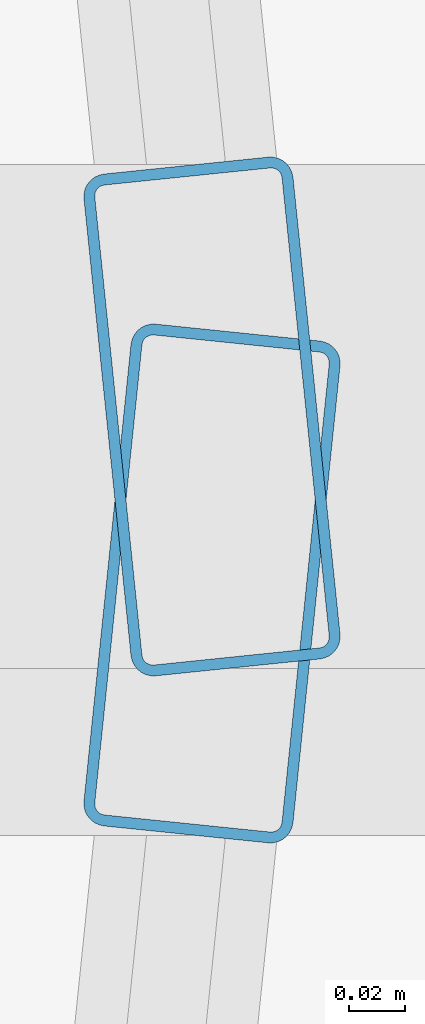
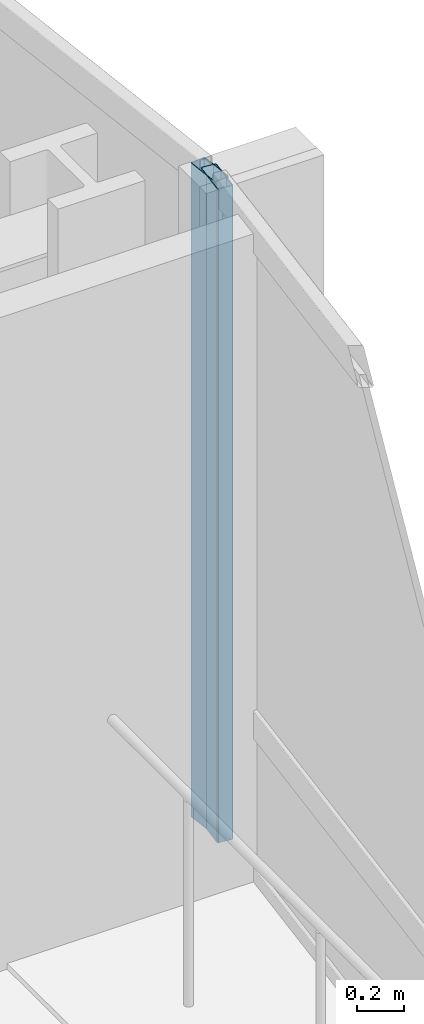
# One storey, part 25 of 34: 2 members, 2 elements without a shape of their own.
"""IFC4 building model written with IfcOpenShell, lengths in metres."""

import ifcopenshell
import ifcopenshell.guid

model = None  # the IFC model being written
_history = None  # IfcOwnerHistory: only IFC2X3 demands one
_inside = {}  # id of a spatial element -> (the spatial element, [elements in it])
_under = {}  # id of a project, library or spatial element -> (it, [spatial elements below it])
_declared = {}  # id of a project -> (the project, [libraries it declares])
_typed = {}  # id of a type object -> (the type object, [elements of that type])
_made_of = {}  # id of a material, layer set ... -> (it, [elements and type objects made of it])


def new_model(schema):
    """Start an empty IFC model of exactly this schema.

    Asked for "IFC4X3", IfcOpenShell would pick the latest addendum, in which some entities
    have other attributes; the version numbers below select the first issue.
    IFC2X3 requires an IfcOwnerHistory on every rooted entity: one is made here for all.
    """
    global model, _history
    if schema == "IFC4X3":
        model = ifcopenshell.file(schema_version=(4, 3, 0, 0))
    else:
        model = ifcopenshell.file(schema=schema)
    _inside.clear()
    _under.clear()
    _declared.clear()
    _typed.clear()
    _made_of.clear()
    _history = None
    if model.schema == "IFC2X3":
        org = make("IfcOrganization", Name="unknown")
        user = make(
            "IfcPersonAndOrganization",
            ThePerson=make("IfcPerson", FamilyName="unknown"),
            TheOrganization=org,
        )
        app = make(
            "IfcApplication",
            ApplicationDeveloper=org,
            Version="unknown",
            ApplicationFullName="unknown",
            ApplicationIdentifier="unknown",
        )
        _history = make(
            "IfcOwnerHistory",
            OwningUser=user,
            OwningApplication=app,
            ChangeAction="ADDED",
            CreationDate=0,
        )
    return model


def make(cls, **values):
    """One entity of the class cls with the attributes given. An attribute that is None is left unset."""
    return model.create_entity(
        cls, **{name: value for name, value in values.items() if value is not None}
    )


def rooted(cls, **values):
    """An entity with a GlobalId (a new one), such as an element, a storey or a relation."""
    return make(cls, GlobalId=ifcopenshell.guid.new(), OwnerHistory=_history, **values)


def si_unit(unit_type, name, prefix=None):
    """IfcSIUnit, for example si_unit("LENGTHUNIT", "METRE", prefix="MILLI")."""
    return make("IfcSIUnit", UnitType=unit_type, Prefix=prefix, Name=name)


def assignment(units):
    """IfcUnitAssignment: the units of a project."""
    return None if units is None else make("IfcUnitAssignment", Units=units)


def point(xyz):
    """IfcCartesianPoint."""
    return None if xyz is None else make("IfcCartesianPoint", Coordinates=xyz)


def direction(xyz):
    """IfcDirection."""
    return None if xyz is None else make("IfcDirection", DirectionRatios=xyz)


def frame(location, z_axis=None, x_axis=None):
    """IfcAxis2Placement3D, a coordinate frame: its origin and axes. An axis left out is left unset."""
    return make(
        "IfcAxis2Placement3D",
        Location=point(location),
        Axis=direction(z_axis),
        RefDirection=direction(x_axis),
    )


def frame_2d(location, x_axis=None):
    """IfcAxis2Placement2D, a coordinate frame in the plane: its origin and x axis."""
    return make(
        "IfcAxis2Placement2D", Location=point(location), RefDirection=direction(x_axis)
    )


def origin():
    """The frame at (0, 0, 0) with its axes left unset."""
    return frame((0.0, 0.0, 0.0))


def origin_2d():
    """The frame at (0, 0) in the plane with its x axis left unset."""
    return frame_2d((0.0, 0.0))


def place(relative_to, where):
    """IfcLocalPlacement: puts the frame where relative to a parent placement (None: the world)."""
    return make(
        "IfcLocalPlacement", PlacementRelTo=relative_to, RelativePlacement=where
    )


def context(
    kind, dimensions, precision=None, world=None, true_north=None, identifier=None
):
    """IfcGeometricRepresentationContext, for example the 3D "Model" context."""
    return make(
        "IfcGeometricRepresentationContext",
        ContextIdentifier=identifier,
        ContextType=kind,
        CoordinateSpaceDimension=dimensions,
        Precision=precision,
        WorldCoordinateSystem=world,
        TrueNorth=true_north,
    )


def subcontext(parent, identifier, kind, view, scale=None):
    """IfcGeometricRepresentationSubContext, for example "Body" below "Model"."""
    return make(
        "IfcGeometricRepresentationSubContext",
        ContextIdentifier=identifier,
        ContextType=kind,
        ParentContext=parent,
        TargetScale=scale,
        TargetView=view,
    )


def project(units=None, contexts=None):
    """IfcProject with its units and contexts."""
    return rooted(
        "IfcProject",
        Name="project",
        RepresentationContexts=contexts,
        UnitsInContext=assignment(units),
    )


def spatial(cls, under=None, at=None, **own):
    """A site, building, storey or space (cls), placed at a placement, below another one or the project."""
    s = rooted(cls, ObjectPlacement=at, **own)
    if under is not None:
        _under.setdefault(under.id(), (under, []))[1].append(s)
    return s


def profile(cls, at=None, kind="AREA", **sizes):
    """A parametric profile (cls). Its sizes go by their IFC names, for example OverallWidth=200.0."""
    return make(cls, ProfileType=kind, Position=at, **sizes)


def hollow_rectangle(**sizes):
    """IfcRectangleHollowProfileDef."""
    return profile("IfcRectangleHollowProfileDef", **sizes)


def extrude(swept, where, along, depth):
    """IfcExtrudedAreaSolid: the profile swept, set in the frame where, extruded along a direction by depth."""
    return make(
        "IfcExtrudedAreaSolid",
        SweptArea=swept,
        Position=where,
        ExtrudedDirection=direction(along),
        Depth=depth,
    )


def shape(context_of_items, identifier, shape_type, items):
    """IfcShapeRepresentation: the items that make up one representation, for example the "Body"."""
    return make(
        "IfcShapeRepresentation",
        ContextOfItems=context_of_items,
        RepresentationIdentifier=identifier,
        RepresentationType=shape_type,
        Items=items,
    )


def material(Name=None, Category=None):
    """IfcMaterial."""
    return make("IfcMaterial", Name=Name, Category=Category)


def layer(
    of_material, thickness, ventilated=None, Name=None, Category=None, Priority=None
):
    """IfcMaterialLayer: one layer of a wall or slab, of a material (None: an air gap)."""
    return make(
        "IfcMaterialLayer",
        Material=of_material,
        LayerThickness=thickness,
        IsVentilated=ventilated,
        Name=Name,
        Category=Category,
        Priority=Priority,
    )


def layer_set(layers, Name=None):
    """IfcMaterialLayerSet."""
    return make("IfcMaterialLayerSet", MaterialLayers=layers, LayerSetName=Name)


def material_profile(
    of_material, cross_section, Name=None, Category=None, Priority=None
):
    """IfcMaterialProfile: a cross section and its material."""
    return make(
        "IfcMaterialProfile",
        Name=Name,
        Material=of_material,
        Profile=cross_section,
        Priority=Priority,
        Category=Category,
    )


def profile_set(profiles, Name=None, composite=None):
    """IfcMaterialProfileSet."""
    return make(
        "IfcMaterialProfileSet",
        Name=Name,
        MaterialProfiles=profiles,
        CompositeProfile=composite,
    )


def made_of(thing, what):
    """Note that an element or type object is made of a material, layer set ...; save() writes the relation."""
    if what is not None:
        _made_of.setdefault(what.id(), (what, []))[1].append(thing)
    return thing


def type_object(cls, material=None, **own):
    """A type object (cls), such as IfcWallType, which elements share."""
    return made_of(rooted(cls, **own), material)


def element(
    cls,
    number,
    at=None,
    inside=None,
    cuts=None,
    type_object=None,
    material=None,
    context=None,
    identifier="Body",
    shape_type=None,
    held_by="IfcProductDefinitionShape",
    body=None,
    shapes=None,
    **own,
):
    """One element of the class cls, such as IfcWall. Its Tag is "e" and its number.

    at: its placement. inside: the storey or other place that contains it. cuts: it is an
    opening in that element (IfcRelVoidsElement). A single representation is given by context,
    identifier, shape_type and body (its items); several are given by shapes. held_by: the class
    of the entity that holds the representations. save() writes the other relations.
    """
    e = rooted(cls, Tag="e%d" % number, ObjectPlacement=at, **own)
    if body is not None:
        shapes = [shape(context, identifier, shape_type, body)]
    if shapes is not None:
        e.Representation = make(held_by, Representations=shapes)
    if inside is not None:
        _inside.setdefault(inside.id(), (inside, []))[1].append(e)
    if cuts is not None:
        rooted(
            "IfcRelVoidsElement", RelatingBuildingElement=cuts, RelatedOpeningElement=e
        )
    if type_object is not None:
        _typed.setdefault(type_object.id(), (type_object, []))[1].append(e)
    return made_of(e, material)


def aggregate(whole, parts):
    """IfcRelAggregates: a whole, such as a stair, and the parts it consists of."""
    return rooted("IfcRelAggregates", RelatingObject=whole, RelatedObjects=parts)


def save(model, path):
    """Write the relations noted so far, then the file.

    IfcRelAggregates (storeys below a building ...), IfcRelContainedInSpatialStructure (elements
    in a storey), IfcRelDefinesByType, IfcRelAssociatesMaterial and IfcRelDeclares: one each for
    every whole, place, type object, material and project.
    """
    for whole, parts in _under.values():
        aggregate(whole, parts)
    for where, things in _inside.values():
        rooted(
            "IfcRelContainedInSpatialStructure",
            RelatedElements=things,
            RelatingStructure=where,
        )
    for kind, things in _typed.values():
        rooted("IfcRelDefinesByType", RelatedObjects=things, RelatingType=kind)
    for what, things in _made_of.values():
        rooted("IfcRelAssociatesMaterial", RelatedObjects=things, RelatingMaterial=what)
    for by, libraries in _declared.values():
        rooted("IfcRelDeclares", RelatingContext=by, RelatedDefinitions=libraries)
    model.write(path)


model = new_model("IFC4")

# Units and contexts
model_context = context("Model", 3, precision=1e-05, world=origin(), true_north=direction((0.0, 1.0)))
body_context = subcontext(model_context, "Body", "Model", "MODEL_VIEW")
ifc_project = project(units=[si_unit("LENGTHUNIT", "METRE"), si_unit("AREAUNIT", "SQUARE_METRE"), si_unit("VOLUMEUNIT", "CUBIC_METRE"), si_unit("PLANEANGLEUNIT", "RADIAN"), si_unit("MASSUNIT", "GRAM", prefix="KILO")], contexts=[model_context])

# Site, building, storey
site_placement = place(None, origin())
site = spatial("IfcSite", under=ifc_project, at=site_placement, CompositionType="ELEMENT")
building_placement = place(site_placement, origin())
building = spatial("IfcBuilding", under=site, at=building_placement, Name="Solvaryn Broadcast Tower", CompositionType="ELEMENT")
storey_placement = place(building_placement, frame((0.0, 0.0, 50.800048828125)))
storey = spatial("IfcBuildingStorey", under=building, at=storey_placement, Name="L11", CompositionType="ELEMENT", Elevation=50.800048828125)

# Curtain wall, member
ifc_material_1 = material(Name="Aluminium and Terracotta Unitised Curtain Wall", Category="masonry")
ifc_layer = layer(ifc_material_1, 0.199951171875)
ifc_layer_set = layer_set([ifc_layer], Name="CW-SYS2-LOWMID")
curtain_wall_type = type_object("IfcCurtainWallType", Name="CW-SYS2-LOWMID", PredefinedType="NOTDEFINED", material=ifc_layer_set)
curtain_wall_1_placement = place(storey_placement, origin())
curtain_wall_1 = element("IfcCurtainWall", 1, at=curtain_wall_1_placement, inside=storey, type_object=curtain_wall_type, Name="L11 Curtain Wall ET1", PredefinedType="NOTDEFINED")
ifc_material_2 = material(Name="Anodised Aluminium 6063-T6", Category="aluminium")
ifc_material_profile = material_profile(ifc_material_2, hollow_rectangle(XDim=0.074951171875, YDim=0.179931640625, WallThickness=0.00390625, InnerFilletRadius=0.00390625, OuterFilletRadius=0.008056640625, at=origin_2d()))
ifc_profile_set = profile_set([ifc_material_profile], Name="Anodised Aluminium 6063-T6")
member_type = type_object("IfcMemberType", Name="CW-MUL-180", PredefinedType="MULLION", material=ifc_profile_set)
member_1_placement = place(storey_placement, frame((63.697021484375, 18.02978515625, 0.0), z_axis=(0.0, 0.0, 1.0), x_axis=(0.99474329889, 0.10240004548, 0.0)))
member_1 = element("IfcMember", 2, at=member_1_placement, type_object=member_type, Name="CWS2 mullion 2", PredefinedType="MULLION", context=body_context, shape_type="SweptSolid", body=[
    extrude(hollow_rectangle(XDim=0.074951171875, YDim=0.179931640625, WallThickness=0.00390625, InnerFilletRadius=0.00390625, OuterFilletRadius=0.008056640625, at=origin_2d()), origin(), (0.0, 0.0, 1.0), 3.419921875),
])
aggregate(curtain_wall_1, [member_1])

curtain_wall_2_placement = place(storey_placement, origin())
curtain_wall_2 = element("IfcCurtainWall", 3, at=curtain_wall_2_placement, inside=storey, type_object=curtain_wall_type, Name="L11 Curtain Wall ET2", PredefinedType="NOTDEFINED")
member_2_placement = place(storey_placement, frame((63.697021484375, 17.97021484375, 0.0), z_axis=(0.0, 0.0, 1.0), x_axis=(0.99474329889, -0.10240004548, 0.0)))
member_2 = element("IfcMember", 4, at=member_2_placement, type_object=member_type, Name="CWS2 mullion 1", PredefinedType="MULLION", context=body_context, shape_type="SweptSolid", body=[
    extrude(hollow_rectangle(XDim=0.074951171875, YDim=0.179931640625, WallThickness=0.00390625, InnerFilletRadius=0.00390625, OuterFilletRadius=0.008056640625, at=origin_2d()), origin(), (0.0, 0.0, 1.0), 3.419921875),
])
aggregate(curtain_wall_2, [member_2])

save(model, "model.ifc")
